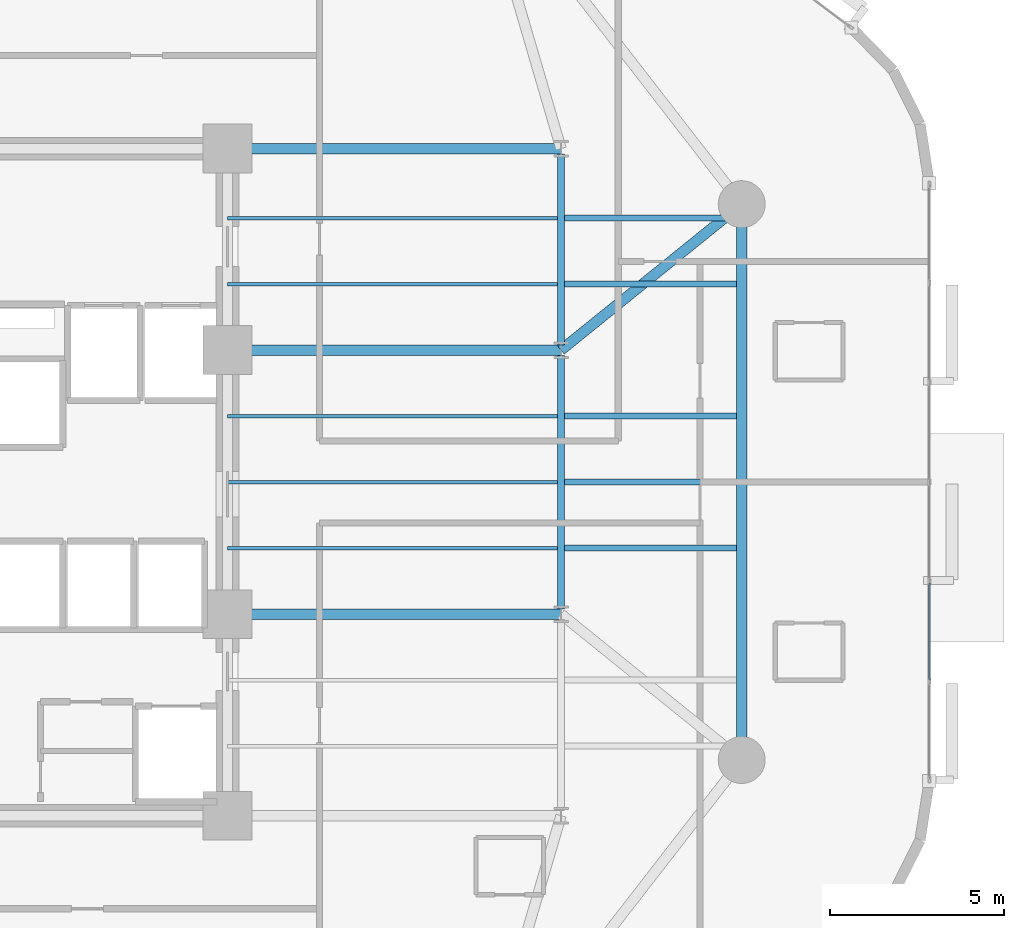
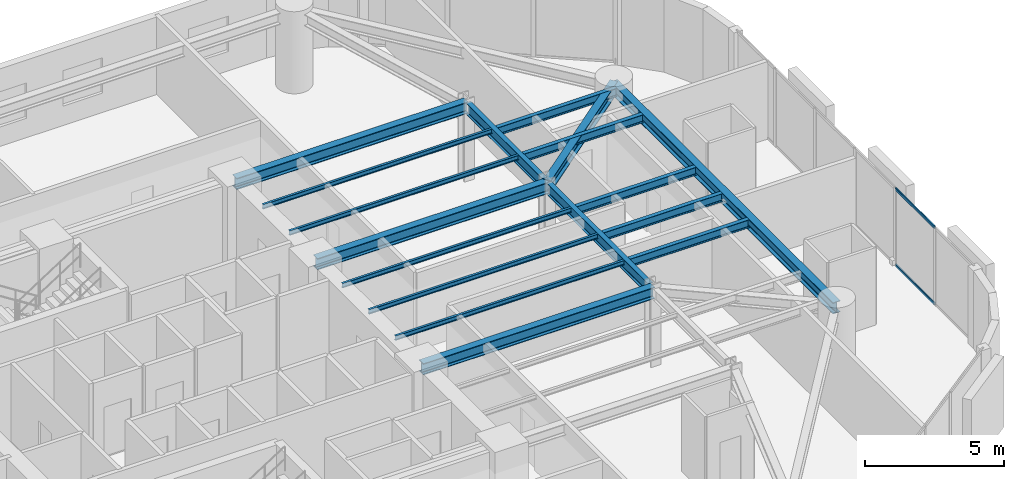
# One storey, part 5 of 16: 17 beams, 2 members, 1 element without a shape of its own.
"""IFC4 building model written with IfcOpenShell, lengths in metres."""

from ifc_helpers import new_model, si_unit, direction, frame, origin, origin_2d, place, context, subcontext, project, spatial, hollow_rectangle, i_section, extrude, material, layer, layer_set, material_profile, profile_set, type_object, element, aggregate, save


model = new_model("IFC4")

# Units and contexts
model_context = context("Model", 3, precision=1e-05, world=origin(), true_north=direction((0.0, 1.0)))
body_context = subcontext(model_context, "Body", "Model", "MODEL_VIEW")
ifc_project = project(units=[si_unit("LENGTHUNIT", "METRE"), si_unit("AREAUNIT", "SQUARE_METRE"), si_unit("VOLUMEUNIT", "CUBIC_METRE"), si_unit("PLANEANGLEUNIT", "RADIAN"), si_unit("MASSUNIT", "GRAM", prefix="KILO")], contexts=[model_context])

# Site, building, storey
site_placement = place(None, origin())
site = spatial("IfcSite", under=ifc_project, at=site_placement, CompositionType="ELEMENT")
building_placement = place(site_placement, origin())
building = spatial("IfcBuilding", under=site, at=building_placement, Name="An Khanh Terracotta Commons", CompositionType="ELEMENT")
storey_placement = place(building_placement, frame((0.0, 0.0, 107.89990234375)))
storey = spatial("IfcBuildingStorey", under=building, at=storey_placement, Name="L28", CompositionType="ELEMENT", Elevation=107.89990234375)

# Beams
ifc_material_1 = material(Name="Steel S355J2", Category="steel")
ifc_material_profile_1 = material_profile(ifc_material_1, i_section(OverallWidth=0.300048828125, OverallDepth=0.5, WebThickness=0.014404296875, FlangeThickness=0.028076171875, FilletRadius=0.027099609375, at=origin_2d()), Name="HEB500")
ifc_profile_set_1 = profile_set([ifc_material_profile_1], Name="Steel S355J2")
beam_type_1 = type_object("IfcBeamType", Name="BM-HEB500", PredefinedType="BEAM", material=ifc_profile_set_1)
beam_1_placement = place(storey_placement, frame((52.0, 16.0, 3.150146484375), z_axis=(0.0, 1.0, 0.0), x_axis=(-1.0, 0.0, 0.0)))
element("IfcBeam", 1, at=beam_1_placement, inside=storey, type_object=beam_type_1, Name="L28 Perimeter Ring Spandrel 3", PredefinedType="BEAM", context=body_context, shape_type="SweptSolid", body=[
    extrude(i_section(OverallWidth=0.300048828125, OverallDepth=0.5, WebThickness=0.014404296875, FlangeThickness=0.028076171875, FilletRadius=0.027099609375, at=origin_2d()), origin(), (0.0, 0.0, 1.0), 16.0),
])
for number, where, z_axis, x_axis, name in (
    (2, (37.199951171875, 20.199951171875, 3.150146484375), (1.0, 0.0, 0.0), (0.0, 1.0, 0.0), "L28 East Primary Floor Girder 2"),
    (3, (37.199951171875, 27.800048828125, 3.150146484375), (1.0, 0.0, 0.0), (0.0, 1.0, 0.0), "L28 East Primary Floor Girder 3"),
    (4, (37.199951171875, 33.60009765625, 3.150146484375), (1.0, 0.0, 0.0), (0.0, 1.0, 0.0), "L28 East Primary Floor Girder 4"),
):
    element("IfcBeam", number, at=place(storey_placement, frame(where, z_axis=z_axis, x_axis=x_axis)), inside=storey, type_object=beam_type_1, Name=name, PredefinedType="BEAM", context=body_context, shape_type="SweptSolid", body=[
        extrude(i_section(OverallWidth=0.300048828125, OverallDepth=0.5, WebThickness=0.014404296875, FlangeThickness=0.028076171875, FilletRadius=0.027099609375, at=origin_2d()), origin(), (0.0, 0.0, 1.0), 9.60009765625),
    ])
beam_2_placement = place(storey_placement, frame((52.0, 32.0, 3.150146484375), z_axis=(-0.777941866883, -0.628336256913, 0.0), x_axis=(0.628336256913, -0.777941866883, 0.0)))
element("IfcBeam", 5, at=beam_2_placement, inside=storey, type_object=beam_type_1, Name="L28 Mega-Column Tie Girder 4", PredefinedType="BEAM", context=body_context, shape_type="SweptSolid", body=[
    extrude(i_section(OverallWidth=0.300048828125, OverallDepth=0.5, WebThickness=0.014404296875, FlangeThickness=0.028076171875, FilletRadius=0.027099609375, at=origin_2d()), origin(), (0.0, 0.0, 1.0), 6.684326171875),
])
ifc_material_profile_2 = material_profile(ifc_material_1, i_section(OverallWidth=0.10009765625, OverallDepth=0.199951171875, WebThickness=0.005615234375, FlangeThickness=0.008544921875, FilletRadius=0.011962890625, at=origin_2d()), Name="IPE200")
ifc_profile_set_2 = profile_set([ifc_material_profile_2], Name="Steel S355J2")
beam_type_2 = type_object("IfcBeamType", Name="BM-IPE200", PredefinedType="JOIST", material=ifc_profile_set_2)
for number, where, z_axis, x_axis, name in (
    (6, (37.199951171875, 22.10009765625, 3.300048828125), (1.0, 0.0, 0.0), (0.0, 1.0, 0.0), "L28 Inboard Composite Joist 3"),
    (7, (37.199951171875, 24.0, 3.300048828125), (1.0, 0.0, 0.0), (0.0, 1.0, 0.0), "L28 Inboard Composite Joist 4"),
    (8, (37.199951171875, 25.89990234375, 3.300048828125), (1.0, 0.0, 0.0), (0.0, 1.0, 0.0), "L28 Inboard Composite Joist 5"),
    (9, (37.199951171875, 29.699951171875, 3.300048828125), (1.0, 0.0, 0.0), (0.0, 1.0, 0.0), "L28 Inboard Composite Joist 6"),
    (10, (37.199951171875, 31.60009765625, 3.300048828125), (1.0, 0.0, 0.0), (0.0, 1.0, 0.0), "L28 Inboard Composite Joist 7"),
):
    element("IfcBeam", number, at=place(storey_placement, frame(where, z_axis=z_axis, x_axis=x_axis)), inside=storey, type_object=beam_type_2, Name=name, PredefinedType="JOIST", context=body_context, shape_type="SweptSolid", body=[
        extrude(i_section(OverallWidth=0.10009765625, OverallDepth=0.199951171875, WebThickness=0.005615234375, FlangeThickness=0.008544921875, FilletRadius=0.011962890625, at=origin_2d()), origin(), (0.0, 0.0, 1.0), 9.5),
    ])
ifc_material_profile_3 = material_profile(ifc_material_1, i_section(OverallWidth=0.169921875, OverallDepth=0.360107421875, WebThickness=0.008056640625, FlangeThickness=0.0126953125, FilletRadius=0.01806640625, at=origin_2d()), Name="IPE360")
ifc_profile_set_3 = profile_set([ifc_material_profile_3], Name="Steel S355J2")
beam_type_3 = type_object("IfcBeamType", Name="BM-IPE360", PredefinedType="JOIST", material=ifc_profile_set_3)
for number, where, z_axis, x_axis, name in (
    (11, (46.89990234375, 22.10009765625, 3.22021484375), (1.0, 0.0, 0.0), (0.0, 1.0, 0.0), "L28 Riverfront Composite Joist 3"),
    (12, (46.89990234375, 24.0, 3.22021484375), (1.0, 0.0, 0.0), (0.0, 1.0, 0.0), "L28 Riverfront Composite Joist 4"),
    (13, (46.89990234375, 25.89990234375, 3.22021484375), (1.0, 0.0, 0.0), (0.0, 1.0, 0.0), "L28 Riverfront Composite Joist 5"),
    (14, (46.89990234375, 29.699951171875, 3.22021484375), (1.0, 0.0, 0.0), (0.0, 1.0, 0.0), "L28 Riverfront Composite Joist 6"),
    (15, (46.89990234375, 31.60009765625, 3.22021484375), (1.0, 0.0, 0.0), (0.0, 1.0, 0.0), "L28 Riverfront Composite Joist 7"),
):
    element("IfcBeam", number, at=place(storey_placement, frame(where, z_axis=z_axis, x_axis=x_axis)), inside=storey, type_object=beam_type_3, Name=name, PredefinedType="JOIST", context=body_context, shape_type="SweptSolid", body=[
        extrude(i_section(OverallWidth=0.169921875, OverallDepth=0.360107421875, WebThickness=0.008056640625, FlangeThickness=0.0126953125, FilletRadius=0.01806640625, at=origin_2d()), origin(), (0.0, 0.0, 1.0), 4.9501953125),
    ])
ifc_material_profile_4 = material_profile(ifc_material_1, i_section(OverallWidth=0.199951171875, OverallDepth=0.5, WebThickness=0.01025390625, FlangeThickness=0.01611328125, FilletRadius=0.02099609375, at=origin_2d()), Name="IPE500")
ifc_profile_set_4 = profile_set([ifc_material_profile_4], Name="Steel S355J2")
beam_type_4 = type_object("IfcBeamType", Name="BM-IPE500", PredefinedType="BEAM", material=ifc_profile_set_4)
beam_3_placement = place(storey_placement, frame((46.800048828125, 20.35009765625, 3.150146484375), z_axis=(0.0, 1.0, 0.0), x_axis=(-1.0, 0.0, 0.0)))
element("IfcBeam", 16, at=beam_3_placement, inside=storey, type_object=beam_type_4, Name="L28 East Spine Girder 2", PredefinedType="BEAM", context=body_context, shape_type="SweptSolid", body=[
    extrude(i_section(OverallWidth=0.199951171875, OverallDepth=0.5, WebThickness=0.01025390625, FlangeThickness=0.01611328125, FilletRadius=0.02099609375, at=origin_2d()), origin(), (0.0, 0.0, 1.0), 7.2998046875),
])
beam_4_placement = place(storey_placement, frame((46.800048828125, 27.949951171875, 3.150146484375), z_axis=(0.0, 1.0, 0.0), x_axis=(-1.0, 0.0, 0.0)))
element("IfcBeam", 17, at=beam_4_placement, inside=storey, type_object=beam_type_4, Name="L28 East Spine Girder 3", PredefinedType="BEAM", context=body_context, shape_type="SweptSolid", body=[
    extrude(i_section(OverallWidth=0.199951171875, OverallDepth=0.5, WebThickness=0.01025390625, FlangeThickness=0.01611328125, FilletRadius=0.02099609375, at=origin_2d()), origin(), (0.0, 0.0, 1.0), 5.5),
])

# Curtain wall, members
ifc_material_2 = material(Name="Anodised Aluminium 6063-T6", Category="aluminium")
ifc_layer = layer(ifc_material_2, 0.199951171875, Name="Anodised Aluminium 6063-T6")
ifc_layer_set = layer_set([ifc_layer], Name="Anodised Aluminium 6063-T6")
curtain_wall_type = type_object("IfcCurtainWallType", Name="CW-SYS-02", PredefinedType="USERDEFINED", material=ifc_layer_set)
curtain_wall_placement = place(storey_placement, origin())
curtain_wall = element("IfcCurtainWall", 18, at=curtain_wall_placement, inside=storey, type_object=curtain_wall_type, Name="L28 CW-02 Unitised Curtain Wall CW-L28-12", ObjectType="UNITISED CURTAIN WALL", PredefinedType="USERDEFINED")
ifc_material_profile_5 = material_profile(ifc_material_2, hollow_rectangle(XDim=0.06005859375, YDim=0.1201171875, WallThickness=0.003662109375, InnerFilletRadius=0.003662109375, OuterFilletRadius=0.007080078125, at=origin_2d()), Name="RHS120x60x3.6")
ifc_profile_set_5 = profile_set([ifc_material_profile_5], Name="Anodised Aluminium 6063-T6")
member_type = type_object("IfcMemberType", Name="CWT-RHS120x60x3.6", PredefinedType="USERDEFINED", material=ifc_profile_set_5)
member_1_placement = place(storey_placement, frame((57.39990234375, 18.3017578125, 0.030029296875), z_axis=(0.0, 1.0, 0.0), x_axis=(-1.0, 0.0, 0.0)))
member_1 = element("IfcMember", 19, at=member_1_placement, type_object=member_type, Name="CW-02 transom 2.1", ObjectType="TRANSOM", PredefinedType="USERDEFINED", context=body_context, shape_type="SweptSolid", body=[
    extrude(hollow_rectangle(XDim=0.06005859375, YDim=0.1201171875, WallThickness=0.003662109375, InnerFilletRadius=0.003662109375, OuterFilletRadius=0.007080078125, at=origin_2d()), origin(), (0.0, 0.0, 1.0), 2.796630859375),
])
member_2_placement = place(storey_placement, frame((57.39990234375, 18.3017578125, 3.3701171875), z_axis=(0.0, 1.0, 0.0), x_axis=(-1.0, 0.0, 0.0)))
member_2 = element("IfcMember", 20, at=member_2_placement, type_object=member_type, Name="CW-02 transom 2.2", ObjectType="TRANSOM", PredefinedType="USERDEFINED", context=body_context, shape_type="SweptSolid", body=[
    extrude(hollow_rectangle(XDim=0.06005859375, YDim=0.1201171875, WallThickness=0.003662109375, InnerFilletRadius=0.003662109375, OuterFilletRadius=0.007080078125, at=origin_2d()), origin(), (0.0, 0.0, 1.0), 2.796630859375),
])
aggregate(curtain_wall, [member_1, member_2])

save(model, "model.ifc")
